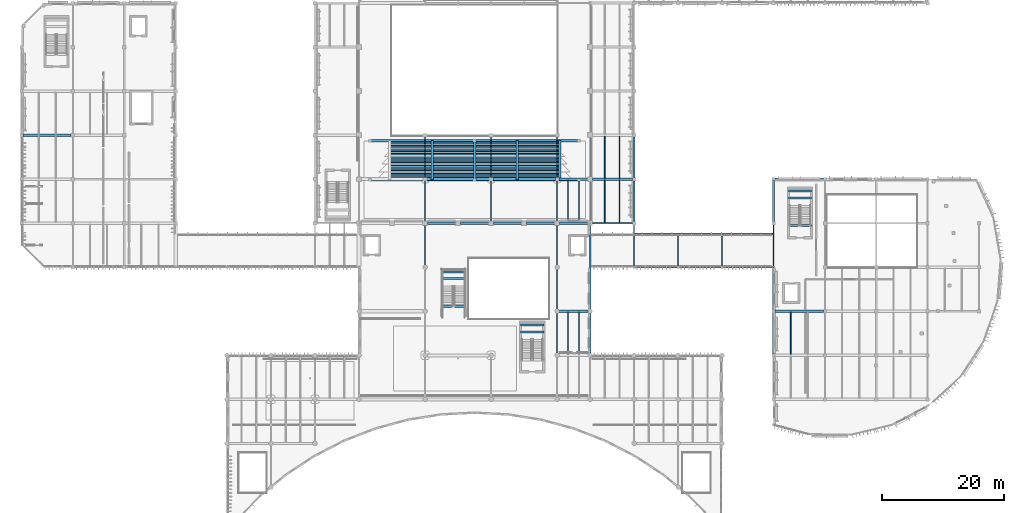
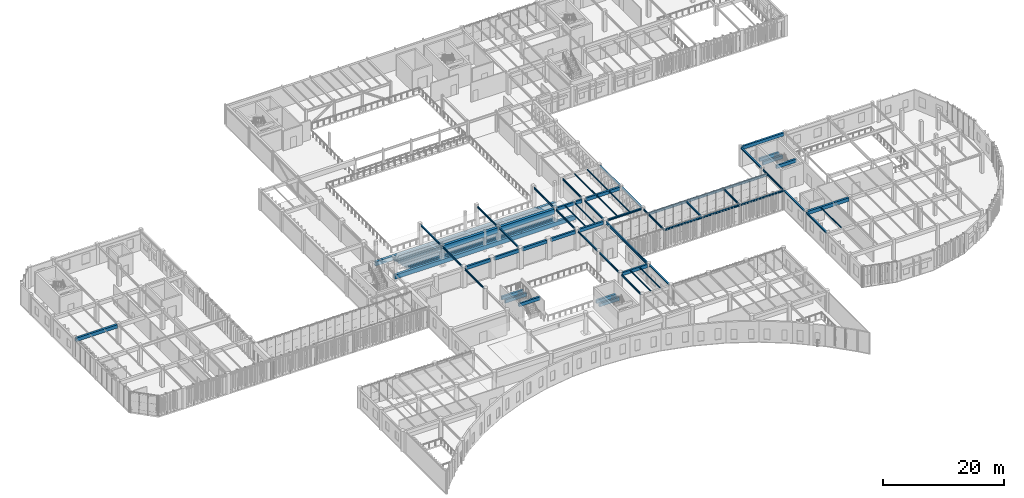
# One storey, part 13 of 122: 74 beams.
"""IFC4 building model written with IfcOpenShell, lengths in metres."""

from ifc_helpers import new_model, si_unit, direction, frame, origin, origin_2d, place, context, subcontext, project, spatial, rectangle, i_section, extrude, material, material_profile, profile_set, type_object, element, save


model = new_model("IFC4")

# Units and contexts
model_context = context("Model", 3, precision=1e-05, world=origin(), true_north=direction((0.0, 1.0)))
body_context = subcontext(model_context, "Body", "Model", "MODEL_VIEW")
ifc_project = project(units=[si_unit("LENGTHUNIT", "METRE"), si_unit("AREAUNIT", "SQUARE_METRE"), si_unit("VOLUMEUNIT", "CUBIC_METRE"), si_unit("PLANEANGLEUNIT", "RADIAN"), si_unit("MASSUNIT", "GRAM", prefix="KILO")], contexts=[model_context])

# Site, building, storey
site_placement = place(None, origin())
site = spatial("IfcSite", under=ifc_project, at=site_placement, CompositionType="ELEMENT")
building_placement = place(site_placement, origin())
building = spatial("IfcBuilding", under=site, at=building_placement, Name="Tazoul Stagehouse", CompositionType="ELEMENT")
storey_placement = place(building_placement, frame((0.0, 0.0, 4.800048828125)))
storey = spatial("IfcBuildingStorey", under=building, at=storey_placement, Name="L01", CompositionType="ELEMENT", Elevation=4.800048828125)

# Beams
ifc_material_1 = material(Name="Concrete C40/50", Category="concrete")
ifc_material_profile_1 = material_profile(ifc_material_1, rectangle(XDim=0.39990234375, YDim=0.75, at=origin_2d()), Name="RC 400x750")
ifc_profile_set_1 = profile_set([ifc_material_profile_1], Name="Concrete C40/50")
beam_type_1 = type_object("IfcBeamType", Name="RC Auditorium Raker Girder 400x750", PredefinedType="BEAM", material=ifc_profile_set_1)
for number, where, z_axis, x_axis, name in (
    (1, (69.550048828125, 65.300048828125, -0.260009765625), (0.0, -0.982874309104, 0.18427721645), (1.0, 0.0, 0.0), "RAKER V1-DRESS RB-01-02"),
    (2, (76.5, 65.300048828125, -0.260009765625), (0.0, -0.982874309104, 0.18427721645), (1.0, 0.0, 0.0), "RAKER V1-DRESS RB-01-03"),
    (3, (83.449951171875, 65.300048828125, -0.260009765625), (0.0, -0.982874309104, 0.18427721645), (1.0, 0.0, 0.0), "RAKER V1-DRESS RB-01-04"),
    (4, (90.39990234375, 65.300048828125, -0.260009765625), (0.0, -0.982874309104, 0.18427721645), (1.0, 0.0, 0.0), "RAKER V1-DRESS RB-01-05"),
):
    element("IfcBeam", number, at=place(storey_placement, frame(where, z_axis=z_axis, x_axis=x_axis)), inside=storey, type_object=beam_type_1, Name=name, PredefinedType="BEAM", context=body_context, shape_type="SweptSolid", body=[
        extrude(rectangle(XDim=0.39990234375, YDim=0.75, at=origin_2d()), origin(), (0.0, 0.0, 1.0), 6.51171875),
    ])
ifc_material_profile_2 = material_profile(ifc_material_1, rectangle(XDim=0.35009765625, YDim=0.64990234375, at=origin_2d()), Name="RC 350x650")
ifc_profile_set_2 = profile_set([ifc_material_profile_2], Name="Concrete C40/50")
beam_type_2 = type_object("IfcBeamType", Name="RC Perimeter Spandrel 350x650 (Exterior)", PredefinedType="SPANDREL", material=ifc_profile_set_2)
beam_1_placement = place(storey_placement, frame((125.625, 59.0, 3.613037109375), z_axis=(1.0, 0.0, 0.0), x_axis=(0.0, 1.0, 0.0)))
element("IfcBeam", 5, at=beam_1_placement, inside=storey, type_object=beam_type_2, Name="L01 Beam SP-01E J/19-20", PredefinedType="SPANDREL", context=body_context, shape_type="SweptSolid", body=[
    extrude(rectangle(XDim=0.35009765625, YDim=0.64990234375, at=origin_2d()), origin(), (0.0, 0.0, 1.0), 7.949951171875),
])
ifc_material_profile_3 = material_profile(ifc_material_1, rectangle(XDim=0.35009765625, YDim=0.64990234375, at=origin_2d()), Name="RC 350x650")
ifc_profile_set_3 = profile_set([ifc_material_profile_3], Name="Concrete C40/50")
beam_type_3 = type_object("IfcBeamType", Name="RC Primary Girder 350x650", PredefinedType="BEAM", material=ifc_profile_set_3)
beam_2_placement = place(storey_placement, frame((90.35009765625, 37.39990234375, 3.613037109375), z_axis=(1.0, 0.0, 0.0), x_axis=(0.0, 1.0, 0.0)))
element("IfcBeam", 6, at=beam_2_placement, inside=storey, type_object=beam_type_3, Name="L01 Beam BM-01 F/14-15", PredefinedType="BEAM", context=body_context, shape_type="SweptSolid", body=[
    extrude(rectangle(XDim=0.35009765625, YDim=0.64990234375, at=origin_2d()), origin(), (0.0, 0.0, 1.0), 4.699951171875),
])
beam_3_placement = place(storey_placement, frame((68.77490234375, 51.800048828125, 3.613037109375), z_axis=(1.0, 0.0, 0.0), x_axis=(0.0, 1.0, 0.0)))
element("IfcBeam", 7, at=beam_3_placement, inside=storey, type_object=beam_type_3, Name="L01 Beam BM-01 H/10-11", PredefinedType="BEAM", context=body_context, shape_type="SweptSolid", body=[
    extrude(rectangle(XDim=0.35009765625, YDim=0.64990234375, at=origin_2d()), origin(), (0.0, 0.0, 1.0), 4.650146484375),
])
beam_4_placement = place(storey_placement, frame((74.175048828125, 51.800048828125, 3.613037109375), z_axis=(1.0, 0.0, 0.0), x_axis=(0.0, 1.0, 0.0)))
element("IfcBeam", 8, at=beam_4_placement, inside=storey, type_object=beam_type_3, Name="L01 Beam BM-01 H/11-12", PredefinedType="BEAM", context=body_context, shape_type="SweptSolid", body=[
    extrude(rectangle(XDim=0.35009765625, YDim=0.64990234375, at=origin_2d()), origin(), (0.0, 0.0, 1.0), 4.64990234375),
])
beam_5_placement = place(storey_placement, frame((79.574951171875, 51.800048828125, 3.613037109375), z_axis=(1.0, 0.0, 0.0), x_axis=(0.0, 1.0, 0.0)))
element("IfcBeam", 9, at=beam_5_placement, inside=storey, type_object=beam_type_3, Name="L01 Beam BM-01 H/12-13", PredefinedType="BEAM", context=body_context, shape_type="SweptSolid", body=[
    extrude(rectangle(XDim=0.35009765625, YDim=0.64990234375, at=origin_2d()), origin(), (0.0, 0.0, 1.0), 4.650146484375),
])
for number, where, z_axis, x_axis, name in (
    (10, (84.97509765625, 51.800048828125, 3.613037109375), (1.0, 0.0, 0.0), (0.0, 1.0, 0.0), "L01 Beam BM-01 H/13-14"),
    (11, (90.375, 51.800048828125, 3.613037109375), (1.0, 0.0, 0.0), (0.0, 1.0, 0.0), "L01 Beam BM-01 H/14-15"),
):
    element("IfcBeam", number, at=place(storey_placement, frame(where, z_axis=z_axis, x_axis=x_axis)), inside=storey, type_object=beam_type_3, Name=name, PredefinedType="BEAM", context=body_context, shape_type="SweptSolid", body=[
        extrude(rectangle(XDim=0.35009765625, YDim=0.64990234375, at=origin_2d()), origin(), (0.0, 0.0, 1.0), 4.64990234375),
    ])
beam_6_placement = place(storey_placement, frame((90.27490234375, 59.0, 3.613037109375), z_axis=(1.0, 0.0, 0.0), x_axis=(0.0, 1.0, 0.0)))
element("IfcBeam", 12, at=beam_6_placement, inside=storey, type_object=beam_type_3, Name="L01 Beam BM-01 J/14-15", PredefinedType="BEAM", context=body_context, shape_type="SweptSolid", body=[
    extrude(rectangle(XDim=0.35009765625, YDim=0.64990234375, at=origin_2d()), origin(), (0.0, 0.0, 1.0), 4.75),
])
beam_7_placement = place(storey_placement, frame((95.77490234375, 59.0, 3.613037109375), z_axis=(1.0, 0.0, 0.0), x_axis=(0.0, 1.0, 0.0)))
element("IfcBeam", 13, at=beam_7_placement, inside=storey, type_object=beam_type_3, Name="L01 Beam BM-01 J/15-16", PredefinedType="BEAM", context=body_context, shape_type="SweptSolid", body=[
    extrude(rectangle(XDim=0.35009765625, YDim=0.64990234375, at=origin_2d()), origin(), (0.0, 0.0, 1.0), 6.550048828125),
])
for number, where, z_axis, x_axis, name in (
    (14, (127.820068359375, 55.949951171875, 1.579833984375), (1.0, 0.0, 0.0), (0.0, 1.0, 0.0), "L01 Stair Half-Landing Trimmer BM-01 (ST-07-1)"),
    (15, (127.820068359375, 57.050048828125, 1.579833984375), (1.0, 0.0, 0.0), (0.0, 1.0, 0.0), "L01 Stair Half-Landing Trimmer BM-01 (ST-07-2)"),
    (16, (127.820068359375, 51.39990234375, 3.614990234375), (1.0, 0.0, 0.0), (0.0, 1.0, 0.0), "L01 Stair Landing Trimmer BM-01 (ST-07-FL)"),
):
    element("IfcBeam", number, at=place(storey_placement, frame(where, z_axis=z_axis, x_axis=x_axis)), inside=storey, type_object=beam_type_3, Name=name, PredefinedType="BEAM", context=body_context, shape_type="SweptSolid", body=[
        extrude(rectangle(XDim=0.35009765625, YDim=0.64990234375, at=origin_2d()), origin(), (0.0, 0.0, 1.0), 3.809814453125),
    ])
for number, where, z_axis, x_axis, name in (
    (17, (84.02001953125, 34.030029296875, 1.579833984375), (1.0, 0.0, 0.0), (0.0, 1.0, 0.0), "L01 Stair Half-Landing Trimmer BM-01 (ST-08-1)"),
    (18, (84.02001953125, 35.1298828125, 1.579833984375), (1.0, 0.0, 0.0), (0.0, 1.0, 0.0), "L01 Stair Half-Landing Trimmer BM-01 (ST-08-2)"),
):
    element("IfcBeam", number, at=place(storey_placement, frame(where, z_axis=z_axis, x_axis=x_axis)), inside=storey, type_object=beam_type_3, Name=name, PredefinedType="BEAM", context=body_context, shape_type="SweptSolid", body=[
        extrude(rectangle(XDim=0.35009765625, YDim=0.64990234375, at=origin_2d()), origin(), (0.0, 0.0, 1.0), 3.81005859375),
    ])
for number, where, z_axis, x_axis, name in (
    (19, (71.02001953125, 42.75, 1.579833984375), (1.0, 0.0, 0.0), (0.0, 1.0, 0.0), "L01 Stair Half-Landing Trimmer BM-01 (ST-ATR-01-1)"),
    (20, (71.02001953125, 43.85009765625, 1.579833984375), (1.0, 0.0, 0.0), (0.0, 1.0, 0.0), "L01 Stair Half-Landing Trimmer BM-01 (ST-ATR-01-2)"),
    (21, (71.02001953125, 38.199951171875, 3.614990234375), (1.0, 0.0, 0.0), (0.0, 1.0, 0.0), "L01 Stair Landing Trimmer BM-01 (ST-ATR-01-FL)"),
):
    element("IfcBeam", number, at=place(storey_placement, frame(where, z_axis=z_axis, x_axis=x_axis)), inside=storey, type_object=beam_type_3, Name=name, PredefinedType="BEAM", context=body_context, shape_type="SweptSolid", body=[
        extrude(rectangle(XDim=0.35009765625, YDim=0.64990234375, at=origin_2d()), origin(), (0.0, 0.0, 1.0), 4.10986328125),
    ])
ifc_material_profile_4 = material_profile(ifc_material_1, rectangle(XDim=0.39990234375, YDim=0.699951171875, at=origin_2d()), Name="RC 400x700")
ifc_profile_set_4 = profile_set([ifc_material_profile_4], Name="Concrete C40/50")
beam_type_4 = type_object("IfcBeamType", Name="RC Primary Girder 400x700", PredefinedType="BEAM", material=ifc_profile_set_4)
beam_8_placement = place(storey_placement, frame((125.625, 37.39990234375, 3.587890625), z_axis=(1.0, 0.0, 0.0), x_axis=(0.0, 1.0, 0.0)))
element("IfcBeam", 22, at=beam_8_placement, inside=storey, type_object=beam_type_4, Name="L01 Beam BM-02 F/19-20", PredefinedType="BEAM", context=body_context, shape_type="SweptSolid", body=[
    extrude(rectangle(XDim=0.39990234375, YDim=0.699951171875, at=origin_2d()), origin(), (0.0, 0.0, 1.0), 7.949951171875),
])
beam_9_placement = place(storey_placement, frame((2.625, 66.199951171875, 3.587890625), z_axis=(1.0, 0.0, 0.0), x_axis=(0.0, 1.0, 0.0)))
element("IfcBeam", 23, at=beam_9_placement, inside=storey, type_object=beam_type_4, Name="L01 Beam BM-02 K/1-2", PredefinedType="BEAM", context=body_context, shape_type="SweptSolid", body=[
    extrude(rectangle(XDim=0.39990234375, YDim=0.699951171875, at=origin_2d()), origin(), (0.0, 0.0, 1.0), 7.89990234375),
])
ifc_material_profile_5 = material_profile(ifc_material_1, rectangle(XDim=0.449951171875, YDim=0.85009765625, at=origin_2d()), Name="RC 450x850")
ifc_profile_set_5 = profile_set([ifc_material_profile_5], Name="Concrete C40/50")
beam_type_5 = type_object("IfcBeamType", Name="RC Primary Girder 450x850", PredefinedType="BEAM", material=ifc_profile_set_5)
for number, where, z_axis, x_axis, name in (
    (24, (59.25, 65.300048828125, -0.330078125), (1.0, 0.0, 0.0), (0.0, 1.0, 0.0), "L01 Bowl FRT Carrier Girder BM-03 (V1-DRESS)"),
    (25, (59.25, 58.89990234375, 0.869873046875), (1.0, 0.0, 0.0), (0.0, 1.0, 0.0), "L01 Bowl RER Carrier Girder BM-03 (V1-DRESS)"),
):
    element("IfcBeam", number, at=place(storey_placement, frame(where, z_axis=z_axis, x_axis=x_axis)), inside=storey, type_object=beam_type_5, Name=name, PredefinedType="BEAM", context=body_context, shape_type="SweptSolid", body=[
        extrude(rectangle(XDim=0.449951171875, YDim=0.85009765625, at=origin_2d()), origin(), (0.0, 0.0, 1.0), 34.5),
    ])
ifc_material_2 = material(Name="Concrete C35/45", Category="concrete")
ifc_material_profile_6 = material_profile(ifc_material_2, rectangle(XDim=0.300048828125, YDim=0.550048828125, at=origin_2d()), Name="RC 300x550")
ifc_profile_set_6 = profile_set([ifc_material_profile_6], Name="Concrete C35/45")
beam_type_6 = type_object("IfcBeamType", Name="RC Rib Joist 300x550", PredefinedType="JOIST", material=ifc_profile_set_6)
for number, where, z_axis, x_axis, name in (
    (26, (62.449951171875, 64.404052734375, -0.179931640625), (1.0, 0.0, 0.0), (0.0, 1.0, 0.0), "L01 Tier Transverse Rib JS-06 (V1-DRESS-R01A)"),
    (27, (62.449951171875, 64.941650390625, -0.179931640625), (1.0, 0.0, 0.0), (0.0, 1.0, 0.0), "L01 Tier Transverse Rib JS-06 (V1-DRESS-R01B)"),
    (28, (62.449951171875, 63.1240234375, 0.119873046875), (1.0, 0.0, 0.0), (0.0, 1.0, 0.0), "L01 Tier Transverse Rib JS-06 (V1-DRESS-R02A)"),
    (29, (62.449951171875, 63.66162109375, 0.119873046875), (1.0, 0.0, 0.0), (0.0, 1.0, 0.0), "L01 Tier Transverse Rib JS-06 (V1-DRESS-R02B)"),
    (30, (62.449951171875, 61.843994140625, 0.419921875), (1.0, 0.0, 0.0), (0.0, 1.0, 0.0), "L01 Tier Transverse Rib JS-06 (V1-DRESS-R03A)"),
    (31, (62.449951171875, 62.381591796875, 0.419921875), (1.0, 0.0, 0.0), (0.0, 1.0, 0.0), "L01 Tier Transverse Rib JS-06 (V1-DRESS-R03B)"),
    (32, (62.449951171875, 60.56396484375, 0.719970703125), (1.0, 0.0, 0.0), (0.0, 1.0, 0.0), "L01 Tier Transverse Rib JS-06 (V1-DRESS-R04A)"),
    (33, (62.449951171875, 61.1015625, 0.719970703125), (1.0, 0.0, 0.0), (0.0, 1.0, 0.0), "L01 Tier Transverse Rib JS-06 (V1-DRESS-R04B)"),
    (34, (62.449951171875, 59.283935546875, 1.02001953125), (1.0, 0.0, 0.0), (0.0, 1.0, 0.0), "L01 Tier Transverse Rib JS-06 (V1-DRESS-R05A)"),
    (35, (62.449951171875, 59.821533203125, 1.02001953125), (1.0, 0.0, 0.0), (0.0, 1.0, 0.0), "L01 Tier Transverse Rib JS-06 (V1-DRESS-R05B)"),
):
    element("IfcBeam", number, at=place(storey_placement, frame(where, z_axis=z_axis, x_axis=x_axis)), inside=storey, type_object=beam_type_6, Name=name, PredefinedType="JOIST", context=body_context, shape_type="SweptSolid", body=[
        extrude(rectangle(XDim=0.300048828125, YDim=0.550048828125, at=origin_2d()), origin(), (0.0, 0.0, 1.0), 28.10009765625),
    ])
ifc_material_profile_7 = material_profile(ifc_material_1, rectangle(XDim=0.5, YDim=1.0, at=origin_2d()), Name="RC 500x1000")
ifc_profile_set_7 = profile_set([ifc_material_profile_7], Name="Concrete C40/50")
beam_type_7 = type_object("IfcBeamType", Name="RC Transfer Girder 500x1000", PredefinedType="BEAM", material=ifc_profile_set_7)
for number, where, z_axis, x_axis, name in (
    (36, (68.675048828125, 59.0, 3.43798828125), (1.0, 0.0, 0.0), (0.0, 1.0, 0.0), "L01 Beam BM-04 J/10-12"),
    (37, (79.47509765625, 59.0, 3.43798828125), (1.0, 0.0, 0.0), (0.0, 1.0, 0.0), "L01 Beam BM-04 J/12-14"),
):
    element("IfcBeam", number, at=place(storey_placement, frame(where, z_axis=z_axis, x_axis=x_axis)), inside=storey, type_object=beam_type_7, Name=name, PredefinedType="BEAM", context=body_context, shape_type="SweptSolid", body=[
        extrude(rectangle(XDim=0.5, YDim=1.0, at=origin_2d()), origin(), (0.0, 0.0, 1.0), 10.25),
    ])
ifc_material_3 = material(Name="Steel S355", Category="steel")
ifc_material_profile_8 = material_profile(ifc_material_3, i_section(OverallWidth=0.300048828125, OverallDepth=0.2900390625, WebThickness=0.008544921875, FlangeThickness=0.013916015625, FilletRadius=0.027099609375, at=origin_2d()), Name="HEA 300")
ifc_profile_set_8 = profile_set([ifc_material_profile_8], Name="Steel S355")
beam_type_8 = type_object("IfcBeamType", Name="Steel Crescent Spandrel HEA 300 (Exterior)", PredefinedType="SPANDREL", material=ifc_profile_set_8)
for number, where, z_axis, x_axis, name in (
    (38, (102.610107421875, 44.60009765625, 3.81298828125), (1.0, 0.0, 0.0), (0.0, 1.0, 0.0), "L01 Beam SP-03E G/16-17"),
    (39, (109.81005859375, 44.60009765625, 3.81298828125), (1.0, 0.0, 0.0), (0.0, 1.0, 0.0), "L01 Beam SP-03E G/17-18"),
):
    element("IfcBeam", number, at=place(storey_placement, frame(where, z_axis=z_axis, x_axis=x_axis)), inside=storey, type_object=beam_type_8, Name=name, PredefinedType="SPANDREL", context=body_context, shape_type="SweptSolid", body=[
        extrude(i_section(OverallWidth=0.300048828125, OverallDepth=0.2900390625, WebThickness=0.008544921875, FlangeThickness=0.013916015625, FilletRadius=0.027099609375, at=origin_2d()), origin(), (0.0, 0.0, 1.0), 7.179931640625),
    ])
beam_10_placement = place(storey_placement, frame((117.010009765625, 44.60009765625, 3.79296875), z_axis=(1.0, 0.0, 0.0), x_axis=(0.0, 1.0, 0.0)))
element("IfcBeam", 40, at=beam_10_placement, inside=storey, type_object=beam_type_8, Name="L01 Beam SP-03E G/18-19", PredefinedType="SPANDREL", context=body_context, shape_type="SweptSolid", body=[
    extrude(i_section(OverallWidth=0.300048828125, OverallDepth=0.2900390625, WebThickness=0.008544921875, FlangeThickness=0.013916015625, FilletRadius=0.027099609375, at=origin_2d()), origin(), (0.0, 0.0, 1.0), 8.3798828125),
])
beam_11_placement = place(storey_placement, frame((95.77490234375, 51.800048828125, 3.79296875), z_axis=(1.0, 0.0, 0.0), x_axis=(0.0, 1.0, 0.0)))
element("IfcBeam", 41, at=beam_11_placement, inside=storey, type_object=beam_type_8, Name="L01 Beam SP-03E H/15-16", PredefinedType="SPANDREL", context=body_context, shape_type="SweptSolid", body=[
    extrude(i_section(OverallWidth=0.300048828125, OverallDepth=0.2900390625, WebThickness=0.008544921875, FlangeThickness=0.013916015625, FilletRadius=0.027099609375, at=origin_2d()), origin(), (0.0, 0.0, 1.0), 6.550048828125),
])
ifc_material_profile_9 = material_profile(ifc_material_3, i_section(OverallWidth=0.280029296875, OverallDepth=0.27001953125, WebThickness=0.008056640625, FlangeThickness=0.012939453125, FilletRadius=0.02392578125, at=origin_2d()), Name="HEA 280")
ifc_profile_set_9 = profile_set([ifc_material_profile_9], Name="Steel S355")
beam_type_9 = type_object("IfcBeamType", Name="Steel Facade Spandrel HEA 280 (Exterior)", PredefinedType="SPANDREL", material=ifc_profile_set_9)
beam_12_placement = place(storey_placement, frame((95.39990234375, 30.550048828125, 3.802978515625), z_axis=(0.0, 1.0, 0.0), x_axis=(-1.0, 0.0, 0.0)))
element("IfcBeam", 42, at=beam_12_placement, inside=storey, type_object=beam_type_9, Name="L01 Beam SP-02E 15/E-F", PredefinedType="SPANDREL", context=body_context, shape_type="SweptSolid", body=[
    extrude(i_section(OverallWidth=0.280029296875, OverallDepth=0.27001953125, WebThickness=0.008056640625, FlangeThickness=0.012939453125, FilletRadius=0.02392578125, at=origin_2d()), origin(), (0.0, 0.0, 1.0), 6.5),
])
for number, where, z_axis, x_axis, name in (
    (43, (102.60009765625, 52.074951171875, 3.802978515625), (0.0, 1.0, 0.0), (-1.0, 0.0, 0.0), "L01 Beam SP-02E 16/H-J"),
    (44, (102.60009765625, 59.27490234375, 3.802978515625), (0.0, 1.0, 0.0), (-1.0, 0.0, 0.0), "L01 Beam SP-02E 16/J-K"),
):
    element("IfcBeam", number, at=place(storey_placement, frame(where, z_axis=z_axis, x_axis=x_axis)), inside=storey, type_object=beam_type_9, Name=name, PredefinedType="SPANDREL", context=body_context, shape_type="SweptSolid", body=[
        extrude(i_section(OverallWidth=0.280029296875, OverallDepth=0.27001953125, WebThickness=0.008056640625, FlangeThickness=0.012939453125, FilletRadius=0.02392578125, at=origin_2d()), origin(), (0.0, 0.0, 1.0), 6.650146484375),
    ])
beam_13_placement = place(storey_placement, frame((125.39990234375, 30.425048828125, 3.802978515625), z_axis=(0.0, 1.0, 0.0), x_axis=(-1.0, 0.0, 0.0)))
element("IfcBeam", 45, at=beam_13_placement, inside=storey, type_object=beam_type_9, Name="L01 Beam SP-02E 19/E-F", PredefinedType="SPANDREL", context=body_context, shape_type="SweptSolid", body=[
    extrude(i_section(OverallWidth=0.280029296875, OverallDepth=0.27001953125, WebThickness=0.008056640625, FlangeThickness=0.012939453125, FilletRadius=0.02392578125, at=origin_2d()), origin(), (0.0, 0.0, 1.0), 6.75),
])
beam_14_placement = place(storey_placement, frame((125.39990234375, 37.625, 3.802978515625), z_axis=(0.0, 1.0, 0.0), x_axis=(-1.0, 0.0, 0.0)))
element("IfcBeam", 46, at=beam_14_placement, inside=storey, type_object=beam_type_9, Name="L01 Beam SP-02E 19/F-G", PredefinedType="SPANDREL", context=body_context, shape_type="SweptSolid", body=[
    extrude(i_section(OverallWidth=0.280029296875, OverallDepth=0.27001953125, WebThickness=0.008056640625, FlangeThickness=0.012939453125, FilletRadius=0.02392578125, at=origin_2d()), origin(), (0.0, 0.0, 1.0), 6.838134765625),
])
beam_15_placement = place(storey_placement, frame((125.39990234375, 52.02490234375, 3.802978515625), z_axis=(0.0, 1.0, 0.0), x_axis=(-1.0, 0.0, 0.0)))
element("IfcBeam", 47, at=beam_15_placement, inside=storey, type_object=beam_type_9, Name="L01 Beam SP-02E 19/H-J", PredefinedType="SPANDREL", context=body_context, shape_type="SweptSolid", body=[
    extrude(i_section(OverallWidth=0.280029296875, OverallDepth=0.27001953125, WebThickness=0.008056640625, FlangeThickness=0.012939453125, FilletRadius=0.02392578125, at=origin_2d()), origin(), (0.0, 0.0, 1.0), 6.75),
])
ifc_material_profile_10 = material_profile(ifc_material_3, i_section(OverallWidth=0.1201171875, OverallDepth=0.239990234375, WebThickness=0.006103515625, FlangeThickness=0.009765625, FilletRadius=0.014892578125, at=origin_2d()), Name="IPE 240")
ifc_profile_set_10 = profile_set([ifc_material_profile_10], Name="Steel S355")
beam_type_10 = type_object("IfcBeamType", Name="Steel Floor Joist IPE 240", PredefinedType="JOIST", material=ifc_profile_set_10)
for number, where, z_axis, x_axis, name in (
    (48, (91.800048828125, 30.35009765625, 3.81787109375), (0.0, 1.0, 0.0), (-1.0, 0.0, 0.0), "L01 Joist JS-01 14/E-1"),
    (49, (93.60009765625, 30.35009765625, 3.81787109375), (0.0, 1.0, 0.0), (-1.0, 0.0, 0.0), "L01 Joist JS-01 14/E-2"),
):
    element("IfcBeam", number, at=place(storey_placement, frame(where, z_axis=z_axis, x_axis=x_axis)), inside=storey, type_object=beam_type_10, Name=name, PredefinedType="JOIST", context=body_context, shape_type="SweptSolid", body=[
        extrude(i_section(OverallWidth=0.1201171875, OverallDepth=0.239990234375, WebThickness=0.006103515625, FlangeThickness=0.009765625, FilletRadius=0.014892578125, at=origin_2d()), origin(), (0.0, 0.0, 1.0), 6.89990234375),
    ])
beam_16_placement = place(storey_placement, frame((128.199951171875, 30.375, 3.81787109375), z_axis=(0.0, 1.0, 0.0), x_axis=(-1.0, 0.0, 0.0)))
element("IfcBeam", 50, at=beam_16_placement, inside=storey, type_object=beam_type_10, Name="L01 Joist JS-01 19/E-1", PredefinedType="JOIST", context=body_context, shape_type="SweptSolid", body=[
    extrude(i_section(OverallWidth=0.1201171875, OverallDepth=0.239990234375, WebThickness=0.006103515625, FlangeThickness=0.009765625, FilletRadius=0.014892578125, at=origin_2d()), origin(), (0.0, 0.0, 1.0), 6.85009765625),
])
for number, where, z_axis, x_axis, name in (
    (51, (91.800048828125, 51.949951171875, 3.81787109375), (0.0, 1.0, 0.0), (-1.0, 0.0, 0.0), "L01 Joist JS-01 14/H-1"),
    (52, (93.60009765625, 51.949951171875, 3.81787109375), (0.0, 1.0, 0.0), (-1.0, 0.0, 0.0), "L01 Joist JS-01 14/H-2"),
):
    element("IfcBeam", number, at=place(storey_placement, frame(where, z_axis=z_axis, x_axis=x_axis)), inside=storey, type_object=beam_type_10, Name=name, PredefinedType="JOIST", context=body_context, shape_type="SweptSolid", body=[
        extrude(i_section(OverallWidth=0.1201171875, OverallDepth=0.239990234375, WebThickness=0.006103515625, FlangeThickness=0.009765625, FilletRadius=0.014892578125, at=origin_2d()), origin(), (0.0, 0.0, 1.0), 6.900146484375),
    ])
for number, where, z_axis, x_axis, name in (
    (53, (97.800048828125, 51.925048828125, 3.81787109375), (0.0, 1.0, 0.0), (-1.0, 0.0, 0.0), "L01 Joist JS-01 15/H-1"),
    (54, (100.199951171875, 51.925048828125, 3.81787109375), (0.0, 1.0, 0.0), (-1.0, 0.0, 0.0), "L01 Joist JS-01 15/H-2"),
):
    element("IfcBeam", number, at=place(storey_placement, frame(where, z_axis=z_axis, x_axis=x_axis)), inside=storey, type_object=beam_type_10, Name=name, PredefinedType="JOIST", context=body_context, shape_type="SweptSolid", body=[
        extrude(i_section(OverallWidth=0.1201171875, OverallDepth=0.239990234375, WebThickness=0.006103515625, FlangeThickness=0.009765625, FilletRadius=0.014892578125, at=origin_2d()), origin(), (0.0, 0.0, 1.0), 6.925048828125),
    ])
for number, where, z_axis, x_axis, name in (
    (55, (97.800048828125, 59.14990234375, 3.81787109375), (0.0, 1.0, 0.0), (-1.0, 0.0, 0.0), "L01 Joist JS-01 15/J-1"),
    (56, (100.199951171875, 59.14990234375, 3.81787109375), (0.0, 1.0, 0.0), (-1.0, 0.0, 0.0), "L01 Joist JS-01 15/J-2"),
):
    element("IfcBeam", number, at=place(storey_placement, frame(where, z_axis=z_axis, x_axis=x_axis)), inside=storey, type_object=beam_type_10, Name=name, PredefinedType="JOIST", context=body_context, shape_type="SweptSolid", body=[
        extrude(i_section(OverallWidth=0.1201171875, OverallDepth=0.239990234375, WebThickness=0.006103515625, FlangeThickness=0.009765625, FilletRadius=0.014892578125, at=origin_2d()), origin(), (0.0, 0.0, 1.0), 6.900146484375),
    ])
ifc_material_profile_11 = material_profile(ifc_material_3, i_section(OverallWidth=0.2099609375, OverallDepth=0.550048828125, WebThickness=0.010986328125, FlangeThickness=0.01708984375, FilletRadius=0.02392578125, at=origin_2d()), Name="IPE 550")
ifc_profile_set_11 = profile_set([ifc_material_profile_11], Name="Steel S355")
beam_type_11 = type_object("IfcBeamType", Name="Steel Hall Girder IPE 550 (Exterior)", PredefinedType="BEAM", material=ifc_profile_set_11)
beam_17_placement = place(storey_placement, frame((95.39990234375, 37.75, 3.662841796875), z_axis=(0.0, 1.0, 0.0), x_axis=(-1.0, 0.0, 0.0)))
element("IfcBeam", 57, at=beam_17_placement, inside=storey, type_object=beam_type_11, Name="L01 Beam SB-05E 15/F-H", PredefinedType="BEAM", context=body_context, shape_type="SweptSolid", body=[
    extrude(i_section(OverallWidth=0.2099609375, OverallDepth=0.550048828125, WebThickness=0.010986328125, FlangeThickness=0.01708984375, FilletRadius=0.02392578125, at=origin_2d()), origin(), (0.0, 0.0, 1.0), 13.675048828125),
])
beam_18_placement = place(storey_placement, frame((102.64990234375, 50.06005859375, 3.7099609375), z_axis=(1.0, 0.0, 0.0), x_axis=(0.0, 1.0, 0.0)))
element("IfcBeam", 58, at=beam_18_placement, inside=storey, type_object=beam_type_11, Name="L01 East Passage North Eave Girder SB-05E", PredefinedType="BEAM", context=body_context, shape_type="SweptSolid", body=[
    extrude(i_section(OverallWidth=0.2099609375, OverallDepth=0.550048828125, WebThickness=0.010986328125, FlangeThickness=0.01708984375, FilletRadius=0.02392578125, at=origin_2d()), origin(), (0.0, 0.0, 1.0), 22.7001953125),
])
ifc_material_profile_12 = material_profile(ifc_material_3, i_section(OverallWidth=0.169921875, OverallDepth=0.360107421875, WebThickness=0.008056640625, FlangeThickness=0.0126953125, FilletRadius=0.01806640625, at=origin_2d()), Name="IPE 360")
ifc_profile_set_12 = profile_set([ifc_material_profile_12], Name="Steel S355")
beam_type_12 = type_object("IfcBeamType", Name="Steel Primary Girder IPE 360", PredefinedType="BEAM", material=ifc_profile_set_12)
beam_19_placement = place(storey_placement, frame((68.39990234375, 44.949951171875, 3.758056640625), z_axis=(0.0, 1.0, 0.0), x_axis=(-1.0, 0.0, 0.0)))
element("IfcBeam", 59, at=beam_19_placement, inside=storey, type_object=beam_type_12, Name="L01 Beam SB-01 10/G-H", PredefinedType="BEAM", context=body_context, shape_type="SweptSolid", body=[
    extrude(i_section(OverallWidth=0.169921875, OverallDepth=0.360107421875, WebThickness=0.008056640625, FlangeThickness=0.0126953125, FilletRadius=0.01806640625, at=origin_2d()), origin(), (0.0, 0.0, 1.0), 6.47509765625),
])
beam_20_placement = place(storey_placement, frame((68.39990234375, 52.175048828125, 3.758056640625), z_axis=(0.0, 1.0, 0.0), x_axis=(-1.0, 0.0, 0.0)))
element("IfcBeam", 60, at=beam_20_placement, inside=storey, type_object=beam_type_12, Name="L01 Beam SB-01 10/H-J", PredefinedType="BEAM", context=body_context, shape_type="SweptSolid", body=[
    extrude(i_section(OverallWidth=0.169921875, OverallDepth=0.360107421875, WebThickness=0.008056640625, FlangeThickness=0.0126953125, FilletRadius=0.01806640625, at=origin_2d()), origin(), (0.0, 0.0, 1.0), 6.550048828125),
])
beam_21_placement = place(storey_placement, frame((68.39990234375, 59.27490234375, 3.758056640625), z_axis=(0.0, 1.0, 0.0), x_axis=(-1.0, 0.0, 0.0)))
element("IfcBeam", 61, at=beam_21_placement, inside=storey, type_object=beam_type_12, Name="L01 Beam SB-01 10/J-K", PredefinedType="BEAM", context=body_context, shape_type="SweptSolid", body=[
    extrude(i_section(OverallWidth=0.169921875, OverallDepth=0.360107421875, WebThickness=0.008056640625, FlangeThickness=0.0126953125, FilletRadius=0.01806640625, at=origin_2d()), origin(), (0.0, 0.0, 1.0), 6.650146484375),
])
beam_22_placement = place(storey_placement, frame((79.199951171875, 52.175048828125, 3.758056640625), z_axis=(0.0, 1.0, 0.0), x_axis=(-1.0, 0.0, 0.0)))
element("IfcBeam", 62, at=beam_22_placement, inside=storey, type_object=beam_type_12, Name="L01 Beam SB-01 12/H-J", PredefinedType="BEAM", context=body_context, shape_type="SweptSolid", body=[
    extrude(i_section(OverallWidth=0.169921875, OverallDepth=0.360107421875, WebThickness=0.008056640625, FlangeThickness=0.0126953125, FilletRadius=0.01806640625, at=origin_2d()), origin(), (0.0, 0.0, 1.0), 6.550048828125),
])
beam_23_placement = place(storey_placement, frame((79.199951171875, 59.27490234375, 3.758056640625), z_axis=(0.0, 1.0, 0.0), x_axis=(-1.0, 0.0, 0.0)))
element("IfcBeam", 63, at=beam_23_placement, inside=storey, type_object=beam_type_12, Name="L01 Beam SB-01 12/J-K", PredefinedType="BEAM", context=body_context, shape_type="SweptSolid", body=[
    extrude(i_section(OverallWidth=0.169921875, OverallDepth=0.360107421875, WebThickness=0.008056640625, FlangeThickness=0.0126953125, FilletRadius=0.01806640625, at=origin_2d()), origin(), (0.0, 0.0, 1.0), 6.650146484375),
])
for number, where, z_axis, x_axis, name in (
    (64, (90.0, 30.550048828125, 3.758056640625), (0.0, 1.0, 0.0), (-1.0, 0.0, 0.0), "L01 Beam SB-01 14/E-F"),
    (65, (90.0, 37.75, 3.758056640625), (0.0, 1.0, 0.0), (-1.0, 0.0, 0.0), "L01 Beam SB-01 14/F-G"),
):
    element("IfcBeam", number, at=place(storey_placement, frame(where, z_axis=z_axis, x_axis=x_axis)), inside=storey, type_object=beam_type_12, Name=name, PredefinedType="BEAM", context=body_context, shape_type="SweptSolid", body=[
        extrude(i_section(OverallWidth=0.169921875, OverallDepth=0.360107421875, WebThickness=0.008056640625, FlangeThickness=0.0126953125, FilletRadius=0.01806640625, at=origin_2d()), origin(), (0.0, 0.0, 1.0), 6.5),
    ])
beam_24_placement = place(storey_placement, frame((90.0, 44.949951171875, 3.758056640625), z_axis=(0.0, 1.0, 0.0), x_axis=(-1.0, 0.0, 0.0)))
element("IfcBeam", 66, at=beam_24_placement, inside=storey, type_object=beam_type_12, Name="L01 Beam SB-01 14/G-H", PredefinedType="BEAM", context=body_context, shape_type="SweptSolid", body=[
    extrude(i_section(OverallWidth=0.169921875, OverallDepth=0.360107421875, WebThickness=0.008056640625, FlangeThickness=0.0126953125, FilletRadius=0.01806640625, at=origin_2d()), origin(), (0.0, 0.0, 1.0), 6.47509765625),
])
beam_25_placement = place(storey_placement, frame((90.0, 52.175048828125, 3.758056640625), z_axis=(0.0, 1.0, 0.0), x_axis=(-1.0, 0.0, 0.0)))
element("IfcBeam", 67, at=beam_25_placement, inside=storey, type_object=beam_type_12, Name="L01 Beam SB-01 14/H-J", PredefinedType="BEAM", context=body_context, shape_type="SweptSolid", body=[
    extrude(i_section(OverallWidth=0.169921875, OverallDepth=0.360107421875, WebThickness=0.008056640625, FlangeThickness=0.0126953125, FilletRadius=0.01806640625, at=origin_2d()), origin(), (0.0, 0.0, 1.0), 6.550048828125),
])
beam_26_placement = place(storey_placement, frame((90.0, 59.27490234375, 3.758056640625), z_axis=(0.0, 1.0, 0.0), x_axis=(-1.0, 0.0, 0.0)))
element("IfcBeam", 68, at=beam_26_placement, inside=storey, type_object=beam_type_12, Name="L01 Beam SB-01 14/J-K", PredefinedType="BEAM", context=body_context, shape_type="SweptSolid", body=[
    extrude(i_section(OverallWidth=0.169921875, OverallDepth=0.360107421875, WebThickness=0.008056640625, FlangeThickness=0.0126953125, FilletRadius=0.01806640625, at=origin_2d()), origin(), (0.0, 0.0, 1.0), 6.650146484375),
])
for number, where, z_axis, x_axis, name in (
    (69, (95.39990234375, 52.175048828125, 3.758056640625), (0.0, 1.0, 0.0), (-1.0, 0.0, 0.0), "L01 Beam SB-01 15/H-J"),
    (70, (95.39990234375, 59.375, 3.758056640625), (0.0, 1.0, 0.0), (-1.0, 0.0, 0.0), "L01 Beam SB-01 15/J-K"),
):
    element("IfcBeam", number, at=place(storey_placement, frame(where, z_axis=z_axis, x_axis=x_axis)), inside=storey, type_object=beam_type_12, Name=name, PredefinedType="BEAM", context=body_context, shape_type="SweptSolid", body=[
        extrude(i_section(OverallWidth=0.169921875, OverallDepth=0.360107421875, WebThickness=0.008056640625, FlangeThickness=0.0126953125, FilletRadius=0.01806640625, at=origin_2d()), origin(), (0.0, 0.0, 1.0), 6.449951171875),
    ])
beam_27_placement = place(storey_placement, frame((102.60009765625, 44.737060546875, 3.758056640625), z_axis=(0.0, 1.0, 0.0), x_axis=(-1.0, 0.0, 0.0)))
element("IfcBeam", 71, at=beam_27_placement, inside=storey, type_object=beam_type_12, Name="L01 Beam SB-01 16/G-H", PredefinedType="BEAM", context=body_context, shape_type="SweptSolid", body=[
    extrude(i_section(OverallWidth=0.169921875, OverallDepth=0.360107421875, WebThickness=0.008056640625, FlangeThickness=0.0126953125, FilletRadius=0.01806640625, at=origin_2d()), origin(), (0.0, 0.0, 1.0), 6.787841796875),
])
beam_28_placement = place(storey_placement, frame((125.39990234375, 44.737060546875, 3.758056640625), z_axis=(0.0, 1.0, 0.0), x_axis=(-1.0, 0.0, 0.0)))
element("IfcBeam", 72, at=beam_28_placement, inside=storey, type_object=beam_type_12, Name="L01 Beam SB-01 19/G-H", PredefinedType="BEAM", context=body_context, shape_type="SweptSolid", body=[
    extrude(i_section(OverallWidth=0.169921875, OverallDepth=0.360107421875, WebThickness=0.008056640625, FlangeThickness=0.0126953125, FilletRadius=0.01806640625, at=origin_2d()), origin(), (0.0, 0.0, 1.0), 6.837890625),
])
ifc_material_profile_13 = material_profile(ifc_material_3, i_section(OverallWidth=0.169921875, OverallDepth=0.360107421875, WebThickness=0.008056640625, FlangeThickness=0.0126953125, FilletRadius=0.01806640625, at=origin_2d()), Name="IPE 360")
ifc_profile_set_13 = profile_set([ifc_material_profile_13], Name="Steel S355")
beam_type_13 = type_object("IfcBeamType", Name="Steel Primary Girder IPE 360 (Exterior)", PredefinedType="BEAM", material=ifc_profile_set_13)
for number, where, z_axis, x_axis, name in (
    (73, (109.800048828125, 44.64990234375, 3.760009765625), (0.0, 1.0, 0.0), (-1.0, 0.0, 0.0), "L01 Passage Arch Tie Beam SB-01E X109"),
    (74, (117.0, 44.64990234375, 3.760009765625), (0.0, 1.0, 0.0), (-1.0, 0.0, 0.0), "L01 Passage Arch Tie Beam SB-01E X117"),
):
    element("IfcBeam", number, at=place(storey_placement, frame(where, z_axis=z_axis, x_axis=x_axis)), inside=storey, type_object=beam_type_13, Name=name, PredefinedType="BEAM", context=body_context, shape_type="SweptSolid", body=[
        extrude(i_section(OverallWidth=0.169921875, OverallDepth=0.360107421875, WebThickness=0.008056640625, FlangeThickness=0.0126953125, FilletRadius=0.01806640625, at=origin_2d()), origin(), (0.0, 0.0, 1.0), 5.3701171875),
    ])

save(model, "model.ifc")
